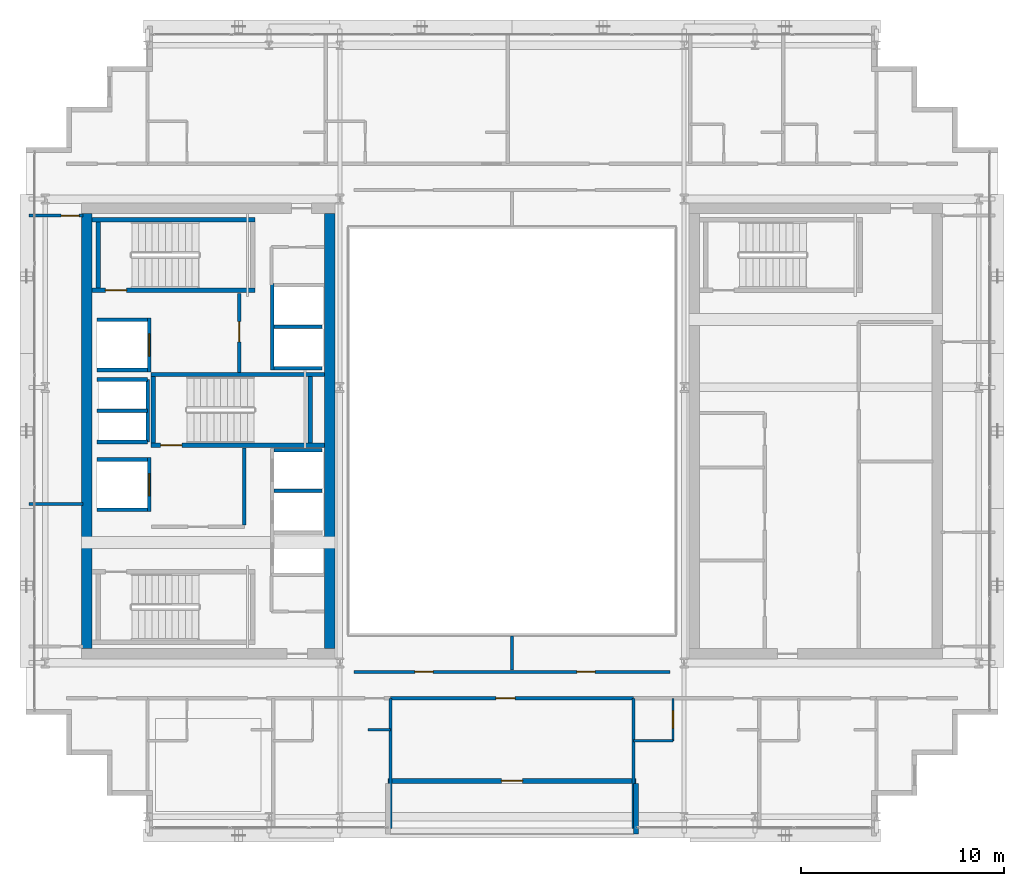
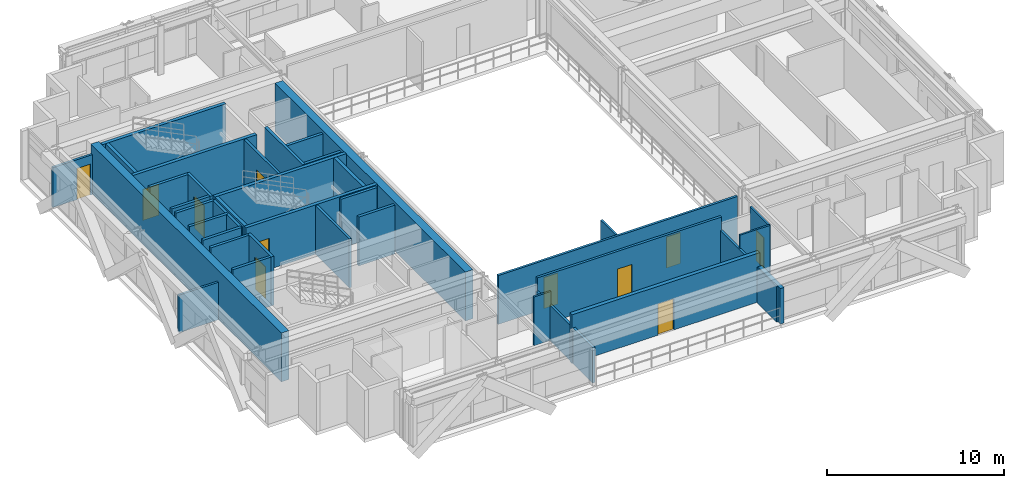
# One storey, part 24 of 31: 38 walls, 11 doors, 11 openings.
"""IFC4 building model written with IfcOpenShell, lengths in metres."""

from ifc_helpers import new_model, si_unit, direction, frame, frame_2d, origin, place, context, subcontext, project, spatial, rectangle, extrude, source, transform, mapped, material, layer, layer_set, type_object, element, fill, save


model = new_model("IFC4")

# Units and contexts
model_context = context("Model", 3, precision=1e-05, world=origin(), true_north=direction((0.0, 1.0)))
body_context = subcontext(model_context, "Body", "Model", "MODEL_VIEW")
ifc_project = project(units=[si_unit("LENGTHUNIT", "METRE"), si_unit("AREAUNIT", "SQUARE_METRE"), si_unit("VOLUMEUNIT", "CUBIC_METRE"), si_unit("PLANEANGLEUNIT", "RADIAN"), si_unit("MASSUNIT", "GRAM", prefix="KILO")], contexts=[model_context])

# Site, building, storey
site_placement = place(None, origin())
site = spatial("IfcSite", under=ifc_project, at=site_placement, CompositionType="ELEMENT")
building_placement = place(site_placement, origin())
building = spatial("IfcBuilding", under=site, at=building_placement, Name="Ocotamira Hotel", CompositionType="ELEMENT")
storey_placement = place(building_placement, frame((0.0, 0.0, 174.0)))
storey = spatial("IfcBuildingStorey", under=building, at=storey_placement, Name="L43", CompositionType="ELEMENT", Elevation=174.0)

# Walls
ifc_material_1 = material(Name="Concrete C50/60", Category="concrete")
ifc_layer_1 = layer(ifc_material_1, 0.5)
ifc_layer_set_1 = layer_set([ifc_layer_1], Name="Concrete C50/60")
wall_type_1 = type_object("IfcWallType", Name="WL-CORE-500", PredefinedType="SHEAR", material=ifc_layer_set_1)
for number, where, z_axis, x_axis, name in (
    (1, (11.0, 15.25, 0.0), (0.0, 0.0, 1.0), (0.0, 1.0, 0.0), "L43 Shear Core Wall WCORE-W"),
    (2, (23.0, 15.25, 0.0), (0.0, 0.0, 1.0), (0.0, 1.0, 0.0), "L43 Shear Core Wall WCORE-E"),
):
    element("IfcWall", number, at=place(storey_placement, frame(where, z_axis=z_axis, x_axis=x_axis)), inside=storey, type_object=wall_type_1, Name=name, PredefinedType="SHEAR", context=body_context, shape_type="SweptSolid", body=[
        extrude(rectangle(XDim=21.5, YDim=0.5, at=frame_2d((10.75, 0.0))), origin(), (0.0, 0.0, 1.0), 3.3701171875),
    ])

# Wall, opening, door
ifc_material_2 = material(Name="Precast concrete C45/55", Category="concrete")
ifc_layer_2 = layer(ifc_material_2, 0.25)
ifc_layer_set_2 = layer_set([ifc_layer_2], Name="Precast concrete C45/55")
wall_type_2 = type_object("IfcWallType", Name="WL-EXT-SER-250", PredefinedType="SOLIDWALL", material=ifc_layer_set_2)
wall_1_placement = place(storey_placement, frame((25.875, 8.72509765625, 0.0), z_axis=(0.0, 0.0, 1.0), x_axis=(1.0, 0.0, 0.0)))
wall_1 = element("IfcWall", 3, at=wall_1_placement, inside=storey, type_object=wall_type_2, Name="L43 Sky Terrace Back Wall 1", PredefinedType="SOLIDWALL", context=body_context, shape_type="SweptSolid", body=[
    extrude(rectangle(XDim=12.25, YDim=0.25, at=frame_2d((6.125, 0.0))), origin(), (0.0, 0.0, 1.0), 3.3701171875),
])
opening_1_placement = place(wall_1_placement, frame((5.60009765625, 0.0, 0.0)))
opening_1 = element("IfcOpeningElement", 4, at=opening_1_placement, cuts=wall_1, Name="Opening ED-3", PredefinedType="OPENING", context=body_context, shape_type="SweptSolid", body=[
    extrude(rectangle(XDim=1.050048828125, YDim=2.14990234375, at=frame_2d((0.52490234375, 1.074951171875))), frame((0.0, 0.135009765625, 0.0), z_axis=(0.0, -1.0, 0.0), x_axis=(1.0, 0.0, 0.0)), (0.0, 0.0, 1.0), 0.27001953125),
])
ifc_material_3 = material(Name="Thermally broken aluminium glazed door", Category="aluminium")
door_type_1 = type_object("IfcDoorType", Name="DR-TERR-1050", OperationType="NOTDEFINED", PredefinedType="DOOR", material=ifc_material_3)
shared_shape_1 = source(origin(), body_context, "Body", "SweptSolid", [
    extrude(rectangle(XDim=1.050048828125, YDim=2.14990234375, at=frame_2d((0.52490234375, 1.074951171875))), frame((0.0, 0.02490234375, 0.0), z_axis=(0.0, -1.0, 0.0), x_axis=(1.0, 0.0, 0.0)), (0.0, 0.0, 1.0), 0.050048828125),
])
door_1_placement = place(opening_1_placement, origin())
door_1 = element("IfcDoor", 5, at=door_1_placement, inside=storey, type_object=door_type_1, Name="L43 Sky Terrace Access Door 1 [ED-BAL-L43-1]", OperationType="SINGLE_SWING_LEFT", OverallHeight=2.14990234375, OverallWidth=1.050048828125, PredefinedType="DOOR", context=body_context, shape_type="MappedRepresentation", body=[
    mapped(shared_shape_1, transform((0.0, 0.0, 0.0), scale=1.0)),
])
fill(opening_1, door_1)

# Walls
wall_2_placement = place(storey_placement, frame((38.125, 6.10009765625, 0.0), z_axis=(0.0, 0.0, 1.0), x_axis=(0.0, 1.0, 0.0)))
element("IfcWall", 6, at=wall_2_placement, inside=storey, type_object=wall_type_2, Name="L43 Sky Terrace Return Wall 1R", PredefinedType="SOLIDWALL", context=body_context, shape_type="SweptSolid", body=[
    extrude(rectangle(XDim=2.5, YDim=0.25, at=frame_2d((1.25, 0.0))), origin(), (0.0, 0.0, 1.0), 2.443115234375),
])
ifc_material_4 = material(Name="Acoustic double-layer fire gypsum board partition", Category="gypsum")
ifc_layer_3 = layer(ifc_material_4, 0.159912109375)
ifc_layer_set_3 = layer_set([ifc_layer_3], Name="Acoustic double-layer fire gypsum board partition")
wall_type_3 = type_object("IfcWallType", Name="WL-FIRE-160", PredefinedType="PARTITIONING", material=ifc_layer_set_3)
wall_3_placement = place(storey_placement, frame((18.780029296875, 21.35009765625, 0.0), z_axis=(0.0, 0.0, 1.0), x_axis=(0.0, 1.0, 0.0)))
element("IfcWall", 7, at=wall_3_placement, inside=storey, type_object=wall_type_3, Name="L43 Interior Wall PW-L43-FSAE1-E", PredefinedType="PARTITIONING", context=body_context, shape_type="SweptSolid", body=[
    extrude(rectangle(XDim=3.809814453125, YDim=0.159912109375, at=frame_2d((1.90478515625, 0.0))), origin(), (0.0, 0.0, 1.0), 3.3701171875),
])

# Wall, opening, door
wall_4_placement = place(storey_placement, frame((18.530029296875, 28.89990234375, 0.0), z_axis=(0.0, 0.0, 1.0), x_axis=(0.0, 1.0, 0.0)))
wall_4 = element("IfcWall", 8, at=wall_4_placement, inside=storey, type_object=wall_type_3, Name="L43 Interior Wall PW-L43-FSAE2-E", PredefinedType="PARTITIONING", context=body_context, shape_type="SweptSolid", body=[
    extrude(rectangle(XDim=3.900146484375, YDim=0.159912109375, at=frame_2d((1.9501953125, 0.0))), origin(), (0.0, 0.0, 1.0), 3.3701171875),
])
opening_2_placement = place(wall_4_placement, frame((1.5, 0.0, 0.0)))
opening_2 = element("IfcOpeningElement", 9, at=opening_2_placement, cuts=wall_4, Name="Opening D-FR2", PredefinedType="OPENING", context=body_context, shape_type="SweptSolid", body=[
    extrude(rectangle(XDim=1.0, YDim=2.14990234375, at=frame_2d((0.5, 1.074951171875))), frame((0.0, 0.08984375, 0.0), z_axis=(0.0, -1.0, 0.0), x_axis=(1.0, 0.0, 0.0)), (0.0, 0.0, 1.0), 0.179931640625),
])
ifc_material_5 = material(Name="Fire-rated acoustic timber-veneer door", Category="wood")
door_type_2 = type_object("IfcDoorType", Name="DR-FIRE-1000", OperationType="NOTDEFINED", PredefinedType="DOOR", material=ifc_material_5)
shared_shape_2 = source(origin(), body_context, "Body", "SweptSolid", [
    extrude(rectangle(XDim=1.0, YDim=2.14990234375, at=frame_2d((0.5, 1.074951171875))), frame((0.0, 0.02490234375, 0.0), z_axis=(0.0, -1.0, 0.0), x_axis=(1.0, 0.0, 0.0)), (0.0, 0.0, 1.0), 0.050048828125),
])
door_2_placement = place(opening_2_placement, origin())
door_2 = element("IfcDoor", 10, at=door_2_placement, inside=storey, type_object=door_type_2, Name="L43 Door ID-L43-FSAE2-D [ID-L43-FSAE2-D]", OperationType="SINGLE_SWING_RIGHT", OverallHeight=2.14990234375, OverallWidth=1.0, PredefinedType="DOOR", context=body_context, shape_type="MappedRepresentation", body=[
    mapped(shared_shape_2, transform((0.0, 0.0, 0.0), scale=1.0)),
])
fill(opening_2, door_2)

wall_5_placement = place(storey_placement, frame((26.0, 12.800048828125, 0.0), z_axis=(0.0, 0.0, 1.0), x_axis=(1.0, 0.0, 0.0)))
wall_5 = element("IfcWall", 11, at=wall_5_placement, inside=storey, type_object=wall_type_3, Name="L43 Interior Wall PW-L43-Z3B-TSALN", PredefinedType="PARTITIONING", context=body_context, shape_type="SweptSolid", body=[
    extrude(rectangle(XDim=12.0, YDim=0.159912109375, at=frame_2d((6.0, 0.0))), origin(), (0.0, 0.0, 1.0), 3.3701171875),
])
opening_3_placement = place(wall_5_placement, frame((5.199951171875, 0.0, 0.0)))
opening_3 = element("IfcOpeningElement", 12, at=opening_3_placement, cuts=wall_5, Name="Opening D-SV4", PredefinedType="OPENING", context=body_context, shape_type="SweptSolid", body=[
    extrude(rectangle(XDim=0.9599609375, YDim=2.14990234375, at=frame_2d((0.47998046875, 1.074951171875))), frame((0.0, 0.08984375, 0.0), z_axis=(0.0, -1.0, 0.0), x_axis=(1.0, 0.0, 0.0)), (0.0, 0.0, 1.0), 0.179931640625),
])
ifc_material_6 = material(Name="Fire-rated accessible walnut salon door", Category="wood")
door_type_3 = type_object("IfcDoorType", Name="DR-SERV-960", OperationType="NOTDEFINED", PredefinedType="DOOR", material=ifc_material_6)
shared_shape_3 = source(origin(), body_context, "Body", "SweptSolid", [
    extrude(rectangle(XDim=0.9599609375, YDim=2.14990234375, at=frame_2d((0.47998046875, 1.074951171875))), frame((0.0, 0.02490234375, 0.0), z_axis=(0.0, -1.0, 0.0), x_axis=(1.0, 0.0, 0.0)), (0.0, 0.0, 1.0), 0.050048828125),
])
door_3_placement = place(opening_3_placement, origin())
door_3 = element("IfcDoor", 13, at=door_3_placement, inside=storey, type_object=door_type_3, Name="L43 Door ID-L43-Z3B-TSALD [ID-L43-Z3B-TSALD]", OperationType="SINGLE_SWING_LEFT", OverallHeight=2.14990234375, OverallWidth=0.9599609375, PredefinedType="DOOR", context=body_context, shape_type="MappedRepresentation", body=[
    mapped(shared_shape_3, transform((0.0, 0.0, 0.0), scale=1.0)),
])
fill(opening_3, door_3)

# Wall
ifc_material_7 = material(Name="Moisture-resistant en-suite tile and gypsum partition", Category="gypsum")
ifc_layer_4 = layer(ifc_material_7, 0.1201171875)
ifc_layer_set_4 = layer_set([ifc_layer_4], Name="Moisture-resistant en-suite tile and gypsum partition")
wall_type_4 = type_object("IfcWallType", Name="WL-PART-120", PredefinedType="PARTITIONING", material=ifc_layer_set_4)
wall_6_placement = place(storey_placement, frame((24.89990234375, 11.25, 0.0), z_axis=(0.0, 0.0, 1.0), x_axis=(1.0, 0.0, 0.0)))
element("IfcWall", 14, at=wall_6_placement, inside=storey, type_object=wall_type_4, Name="L43 Interior Wall PW-L43-Z3BSW-DRN2", PredefinedType="PARTITIONING", context=body_context, shape_type="SweptSolid", body=[
    extrude(rectangle(XDim=1.10009765625, YDim=0.1201171875, at=frame_2d((0.550048828125, 0.0))), origin(), (0.0, 0.0, 1.0), 3.3701171875),
])

# Wall, opening, door
wall_7_placement = place(storey_placement, frame((39.949951171875, 10.699951171875, 0.0), z_axis=(0.0, 0.0, 1.0), x_axis=(0.0, 1.0, 0.0)))
wall_7 = element("IfcWall", 15, at=wall_7_placement, inside=storey, type_object=wall_type_4, Name="L43 Interior Wall PW-L43-Z3BSE-BAE1", PredefinedType="PARTITIONING", context=body_context, shape_type="SweptSolid", body=[
    extrude(rectangle(XDim=2.10009765625, YDim=0.1201171875, at=frame_2d((1.050048828125, 0.0))), origin(), (0.0, 0.0, 1.0), 3.3701171875),
])
opening_4_placement = place(wall_7_placement, frame((0.6201171875, 0.0, 0.0)))
opening_4 = element("IfcOpeningElement", 16, at=opening_4_placement, cuts=wall_7, Name="Opening D-BA1", PredefinedType="OPENING", context=body_context, shape_type="SweptSolid", body=[
    extrude(rectangle(XDim=0.860107421875, YDim=2.10009765625, at=frame_2d((0.43017578125, 1.050048828125))), frame((0.0, 0.070068359375, 0.0), z_axis=(0.0, -1.0, 0.0), x_axis=(1.0, 0.0, 0.0)), (0.0, 0.0, 1.0), 0.14013671875),
])
ifc_material_8 = material(Name="Moisture-sealed en-suite timber door", Category="wood")
door_type_4 = type_object("IfcDoorType", Name="DR-BATH-860", OperationType="NOTDEFINED", PredefinedType="DOOR", material=ifc_material_8)
shared_shape_4 = source(origin(), body_context, "Body", "SweptSolid", [
    extrude(rectangle(XDim=0.860107421875, YDim=2.10009765625, at=frame_2d((0.43017578125, 1.050048828125))), frame((0.0, 0.02490234375, 0.0), z_axis=(0.0, -1.0, 0.0), x_axis=(1.0, 0.0, 0.0)), (0.0, 0.0, 1.0), 0.050048828125),
])
door_4_placement = place(opening_4_placement, origin())
door_4 = element("IfcDoor", 17, at=door_4_placement, inside=storey, type_object=door_type_4, Name="L43 Door ID-L43-Z3BSE-BAD1 [ID-L43-Z3BSE-BAD1]", OperationType="SINGLE_SWING_RIGHT", OverallHeight=2.10009765625, OverallWidth=0.860107421875, PredefinedType="DOOR", context=body_context, shape_type="MappedRepresentation", body=[
    mapped(shared_shape_4, transform((0.0, 0.0, 0.0), scale=1.0)),
])
fill(opening_4, door_4)

# Walls
wall_8_placement = place(storey_placement, frame((38.0, 10.699951171875, 0.0), z_axis=(0.0, 0.0, 1.0), x_axis=(1.0, 0.0, 0.0)))
element("IfcWall", 18, at=wall_8_placement, inside=storey, type_object=wall_type_4, Name="L43 Interior Wall PW-L43-Z3BSE-BAS1", PredefinedType="PARTITIONING", context=body_context, shape_type="SweptSolid", body=[
    extrude(rectangle(XDim=1.949951171875, YDim=0.1201171875, at=frame_2d((0.97509765625, 0.0))), origin(), (0.0, 0.0, 1.0), 3.3701171875),
])
ifc_material_9 = material(Name="Acoustic hospitality gypsum board partition", Category="gypsum")
ifc_layer_5 = layer(ifc_material_9, 0.14208984375)
ifc_layer_set_5 = layer_set([ifc_layer_5], Name="Acoustic hospitality gypsum board partition")
wall_type_5 = type_object("IfcWallType", Name="WL-PART-142", PredefinedType="PARTITIONING", material=ifc_layer_set_5)
wall_9_placement = place(storey_placement, frame((32.0, 14.199951171875, 0.0), z_axis=(0.0, 0.0, 1.0), x_axis=(0.0, 1.0, 0.0)))
element("IfcWall", 19, at=wall_9_placement, inside=storey, type_object=wall_type_5, Name="L43 Interior Wall PW-L43-Z3B-ASD1", PredefinedType="PARTITIONING", context=body_context, shape_type="SweptSolid", body=[
    extrude(rectangle(XDim=1.679931640625, YDim=0.14208984375, at=frame_2d((0.83984375, 0.0))), origin(), (0.0, 0.0, 1.0), 3.3701171875),
])
wall_10_placement = place(storey_placement, frame((8.159912109375, 22.39990234375, 0.0), z_axis=(0.0, 0.0, 1.0), x_axis=(1.0, 0.0, 0.0)))
element("IfcWall", 20, at=wall_10_placement, inside=storey, type_object=wall_type_5, Name="L43 Interior Wall PW-L43-Z3B-WF-DV1", PredefinedType="PARTITIONING", context=body_context, shape_type="SweptSolid", body=[
    extrude(rectangle(XDim=2.66015625, YDim=0.14208984375, at=frame_2d((1.330078125, 0.0))), origin(), (0.0, 0.0, 1.0), 2.591064453125),
])

# Wall, openings, doors
ifc_layer_6 = layer(ifc_material_9, 0.14990234375)
ifc_layer_set_6 = layer_set([ifc_layer_6], Name="Acoustic hospitality gypsum board partition")
wall_type_6 = type_object("IfcWallType", Name="WL-PART-150", PredefinedType="PARTITIONING", material=ifc_layer_set_6)
wall_11_placement = place(storey_placement, frame((24.199951171875, 14.10009765625, 0.0), z_axis=(0.0, 0.0, 1.0), x_axis=(1.0, 0.0, 0.0)))
wall_11 = element("IfcWall", 21, at=wall_11_placement, inside=storey, type_object=wall_type_6, Name="L43 Interior Wall PW-L43-Z3B-ATRSW", PredefinedType="PARTITIONING", context=body_context, shape_type="SweptSolid", body=[
    extrude(rectangle(XDim=15.60009765625, YDim=0.14990234375, at=frame_2d((7.800048828125, 0.0))), origin(), (0.0, 0.0, 1.0), 3.3701171875),
])
opening_5_placement = place(wall_11_placement, frame((3.0, 0.0, 0.0)))
opening_5 = element("IfcOpeningElement", 22, at=opening_5_placement, cuts=wall_11, Name="Opening D-IN3", PredefinedType="OPENING", context=body_context, shape_type="SweptSolid", body=[
    extrude(rectangle(XDim=0.89990234375, YDim=2.14990234375, at=frame_2d((0.449951171875, 1.074951171875))), frame((0.0, 0.0849609375, 0.0), z_axis=(0.0, -1.0, 0.0), x_axis=(1.0, 0.0, 0.0)), (0.0, 0.0, 1.0), 0.169921875),
])
opening_6_placement = place(wall_11_placement, frame((11.0, 0.0, 0.0)))
opening_6 = element("IfcOpeningElement", 23, at=opening_6_placement, cuts=wall_11, Name="Opening D-IN3", PredefinedType="OPENING", context=body_context, shape_type="SweptSolid", body=[
    extrude(rectangle(XDim=0.89990234375, YDim=2.14990234375, at=frame_2d((0.449951171875, 1.074951171875))), frame((0.0, 0.0849609375, 0.0), z_axis=(0.0, -1.0, 0.0), x_axis=(1.0, 0.0, 0.0)), (0.0, 0.0, 1.0), 0.169921875),
])
ifc_material_10 = material(Name="Painted service room door", Category="steel")
door_type_5 = type_object("IfcDoorType", Name="DR-INT-900", OperationType="NOTDEFINED", PredefinedType="DOOR", material=ifc_material_10)
shared_shape_5 = source(origin(), body_context, "Body", "SweptSolid", [
    extrude(rectangle(XDim=0.89990234375, YDim=2.14990234375, at=frame_2d((0.449951171875, 1.074951171875))), frame((0.0, 0.02490234375, 0.0), z_axis=(0.0, -1.0, 0.0), x_axis=(1.0, 0.0, 0.0)), (0.0, 0.0, 1.0), 0.050048828125),
])
door_5_placement = place(opening_5_placement, origin())
door_5 = element("IfcDoor", 24, at=door_5_placement, inside=storey, type_object=door_type_5, Name="L43 Door ID-L43-Z3B-ASD1D [ID-L43-Z3B-ASD1D]", OperationType="SINGLE_SWING_LEFT", OverallHeight=2.14990234375, OverallWidth=0.89990234375, PredefinedType="DOOR", context=body_context, shape_type="MappedRepresentation", body=[
    mapped(shared_shape_5, transform((0.0, 0.0, 0.0), scale=1.0)),
])
fill(opening_5, door_5)
door_6_placement = place(opening_6_placement, origin())
door_6 = element("IfcDoor", 25, at=door_6_placement, inside=storey, type_object=door_type_5, Name="L43 Door ID-L43-Z3B-ASD2D [ID-L43-Z3B-ASD2D]", OperationType="SINGLE_SWING_RIGHT", OverallHeight=2.14990234375, OverallWidth=0.89990234375, PredefinedType="DOOR", context=body_context, shape_type="MappedRepresentation", body=[
    mapped(shared_shape_5, transform((0.0, 0.0, 0.0), scale=1.0)),
])
fill(opening_6, door_6)

# Wall, opening, door
wall_12_placement = place(storey_placement, frame((8.159912109375, 36.639892578125, 0.0), z_axis=(0.0, 0.0, 1.0), x_axis=(1.0, 0.0, 0.0)))
wall_12 = element("IfcWall", 26, at=wall_12_placement, inside=storey, type_object=wall_type_6, Name="L43 Interior Wall PW-L43-Z3B-WF-WN", PredefinedType="PARTITIONING", context=body_context, shape_type="SweptSolid", body=[
    extrude(rectangle(XDim=2.66015625, YDim=0.14990234375, at=frame_2d((1.330078125, 0.0))), origin(), (0.0, 0.0, 1.0), 2.7529296875),
])
opening_7_placement = place(wall_12_placement, frame((1.580078125, 0.0, 0.0)))
opening_7 = element("IfcOpeningElement", 27, at=opening_7_placement, cuts=wall_12, Name="Opening D-SV2", PredefinedType="OPENING", context=body_context, shape_type="SweptSolid", body=[
    extrude(rectangle(XDim=0.8798828125, YDim=2.14990234375, at=frame_2d((0.43994140625, 1.074951171875))), frame((0.0, 0.0849609375, 0.0), z_axis=(0.0, -1.0, 0.0), x_axis=(1.0, 0.0, 0.0)), (0.0, 0.0, 1.0), 0.169921875),
])
ifc_material_11 = material(Name="Fire-rated painted steel service door", Category="steel")
door_type_6 = type_object("IfcDoorType", Name="DR-SERV-880", OperationType="NOTDEFINED", PredefinedType="DOOR", material=ifc_material_11)
shared_shape_6 = source(origin(), body_context, "Body", "SweptSolid", [
    extrude(rectangle(XDim=0.8798828125, YDim=2.14990234375, at=frame_2d((0.43994140625, 1.074951171875))), frame((0.0, 0.02490234375, 0.0), z_axis=(0.0, -1.0, 0.0), x_axis=(1.0, 0.0, 0.0)), (0.0, 0.0, 1.0), 0.050048828125),
])
door_7_placement = place(opening_7_placement, origin())
door_7 = element("IfcDoor", 28, at=door_7_placement, inside=storey, type_object=door_type_6, Name="L43 Door ID-L43-Z3B-WF-DN [ID-L43-Z3B-WF-DN]", OperationType="SINGLE_SWING_RIGHT", OverallHeight=2.14990234375, OverallWidth=0.8798828125, PredefinedType="DOOR", context=body_context, shape_type="MappedRepresentation", body=[
    mapped(shared_shape_6, transform((0.0, 0.0, 0.0), scale=1.0)),
])
fill(opening_7, door_7)

# Walls
ifc_material_12 = material(Name="Acoustic double-stud hospitality gypsum partition", Category="gypsum")
ifc_layer_7 = layer(ifc_material_12, 0.159912109375)
ifc_layer_set_7 = layer_set([ifc_layer_7], Name="Acoustic double-stud hospitality gypsum partition")
wall_type_7 = type_object("IfcWallType", Name="WL-PART-160", PredefinedType="PARTITIONING", material=ifc_layer_set_7)
for number, where, z_axis, x_axis, name in (
    (29, (26.0, 6.360107421875, 0.0), (0.0, 0.0, 1.0), (0.0, 1.0, 0.0), "L43 Interior Wall PW-L43-Z3BSW-PWEND"),
    (30, (38.0, 6.360107421875, 0.0), (0.0, 0.0, 1.0), (0.0, 1.0, 0.0), "L43 Interior Wall PW-L43-Z3BSE-PW0"),
):
    element("IfcWall", number, at=place(storey_placement, frame(where, z_axis=z_axis, x_axis=x_axis)), inside=storey, type_object=wall_type_7, Name=name, PredefinedType="PARTITIONING", context=body_context, shape_type="SweptSolid", body=[
        extrude(rectangle(XDim=6.43994140625, YDim=0.159912109375, at=frame_2d((3.219970703125, 0.0))), origin(), (0.0, 0.0, 1.0), 2.443115234375),
    ])
ifc_material_13 = material(Name="Fire-rated gypsum shaftliner board assembly", Category="gypsum")
ifc_layer_8 = layer(ifc_material_13, 0.179931640625)
ifc_layer_set_8 = layer_set([ifc_layer_8], Name="Fire-rated gypsum shaftliner board assembly")
wall_type_8 = type_object("IfcWallType", Name="WL-SHAFT-180", PredefinedType="SOLIDWALL", material=ifc_layer_set_8)
for number, where, z_axis, x_axis, name in (
    (31, (20.25, 25.050048828125, 0.0), (0.0, 0.0, 1.0), (1.0, 0.0, 0.0), "L43 Interior Wall PW-L43-LFW-BANK-high-N"),
    (32, (20.25, 23.044921875, 0.0), (0.0, 0.0, 1.0), (1.0, 0.0, 0.0), "L43 Interior Wall PW-L43-LFW-DIV-LF-P8"),
):
    element("IfcWall", number, at=place(storey_placement, frame(where, z_axis=z_axis, x_axis=x_axis)), inside=storey, type_object=wall_type_8, Name=name, PredefinedType="SOLIDWALL", context=body_context, shape_type="SweptSolid", body=[
        extrude(rectangle(XDim=2.360107421875, YDim=0.179931640625, at=frame_2d((1.18017578125, 0.0))), origin(), (0.0, 0.0, 1.0), 3.3701171875),
    ])
wall_13_placement = place(storey_placement, frame((20.159912109375, 29.0, 0.0), z_axis=(0.0, 0.0, 1.0), x_axis=(0.0, 1.0, 0.0)))
element("IfcWall", 33, at=wall_13_placement, inside=storey, type_object=wall_type_8, Name="L43 Interior Wall PW-L43-LFW-BANK-obs-F", PredefinedType="SOLIDWALL", context=body_context, shape_type="SweptSolid", body=[
    extrude(rectangle(XDim=4.2900390625, YDim=0.179931640625, at=frame_2d((2.14501953125, 0.0))), origin(), (0.0, 0.0, 1.0), 3.3701171875),
])
for number, where, z_axis, x_axis, name in (
    (34, (20.25, 29.090087890625, 0.0), (0.0, 0.0, 1.0), (1.0, 0.0, 0.0), "L43 Interior Wall PW-L43-LFW-BANK-obs-S"),
    (35, (20.25, 31.14501953125, 0.0), (0.0, 0.0, 1.0), (1.0, 0.0, 0.0), "L43 Interior Wall PW-L43-LFW-DIV-LF-OBS1"),
):
    element("IfcWall", number, at=place(storey_placement, frame(where, z_axis=z_axis, x_axis=x_axis)), inside=storey, type_object=wall_type_8, Name=name, PredefinedType="SOLIDWALL", context=body_context, shape_type="SweptSolid", body=[
        extrude(rectangle(XDim=2.360107421875, YDim=0.179931640625, at=frame_2d((1.18017578125, 0.0))), origin(), (0.0, 0.0, 1.0), 3.3701171875),
    ])
for number, where, z_axis, x_axis, name in (
    (36, (11.5, 22.110107421875, 0.0), (0.0, 0.0, 1.0), (1.0, 0.0, 0.0), "L43 Interior Wall PW-L43-LFW-LF-FSAE1-S"),
    (37, (11.5, 24.590087890625, 0.0), (0.0, 0.0, 1.0), (1.0, 0.0, 0.0), "L43 Interior Wall PW-L43-LFW-LF-FSAE1-N"),
):
    element("IfcWall", number, at=place(storey_placement, frame(where, z_axis=z_axis, x_axis=x_axis)), inside=storey, type_object=wall_type_8, Name=name, PredefinedType="SOLIDWALL", context=body_context, shape_type="SweptSolid", body=[
        extrude(rectangle(XDim=2.5, YDim=0.179931640625, at=frame_2d((1.25, 0.0))), origin(), (0.0, 0.0, 1.0), 3.3701171875),
    ])

# Wall, opening, door
wall_14_placement = place(storey_placement, frame((14.090087890625, 22.02001953125, 0.0), z_axis=(0.0, 0.0, 1.0), x_axis=(0.0, 1.0, 0.0)))
wall_14 = element("IfcWall", 38, at=wall_14_placement, inside=storey, type_object=wall_type_8, Name="L43 Interior Wall PW-L43-LFW-LF-FSAE1-E", PredefinedType="SOLIDWALL", context=body_context, shape_type="SweptSolid", body=[
    extrude(rectangle(XDim=2.659912109375, YDim=0.179931640625, at=frame_2d((1.330078125, 0.0))), origin(), (0.0, 0.0, 1.0), 3.3701171875),
])
opening_8_placement = place(wall_14_placement, frame((0.780029296875, 0.0, 0.0)))
opening_8 = element("IfcOpeningElement", 39, at=opening_8_placement, cuts=wall_14, Name="Opening LD-LF-FSAE1", PredefinedType="OPENING", context=body_context, shape_type="SweptSolid", body=[
    extrude(rectangle(XDim=1.10009765625, YDim=2.199951171875, at=frame_2d((0.550048828125, 1.10009765625))), frame((0.0, 0.10009765625, 0.0), z_axis=(0.0, -1.0, 0.0), x_axis=(1.0, 0.0, 0.0)), (0.0, 0.0, 1.0), 0.199951171875),
])
ifc_material_14 = material(Name="Brushed pale-metal stainless elevator landing door", Category="steel")
door_type_7 = type_object("IfcDoorType", Name="DR-LIFT-1100", OperationType="NOTDEFINED", PredefinedType="DOOR", material=ifc_material_14)
shared_shape_7 = source(origin(), body_context, "Body", "SweptSolid", [
    extrude(rectangle(XDim=1.10009765625, YDim=2.199951171875, at=frame_2d((0.550048828125, 1.10009765625))), frame((0.0, 0.02490234375, 0.0), z_axis=(0.0, -1.0, 0.0), x_axis=(1.0, 0.0, 0.0)), (0.0, 0.0, 1.0), 0.050048828125),
])
door_8_placement = place(opening_8_placement, origin())
door_8 = element("IfcDoor", 40, at=door_8_placement, inside=storey, type_object=door_type_7, Name="L43 Landing Door LD-LF-FSAE1 [ID-L43-LD-LF-FSAE1]", OperationType="DOUBLE_DOOR_SLIDING", OverallHeight=2.199951171875, OverallWidth=1.10009765625, PredefinedType="DOOR", context=body_context, shape_type="MappedRepresentation", body=[
    mapped(shared_shape_7, transform((0.0, 0.0, 0.0), scale=1.0)),
])
fill(opening_8, door_8)

# Walls
for number, where, z_axis, x_axis, name in (
    (41, (11.5, 29.010009765625, 0.0), (0.0, 0.0, 1.0), (1.0, 0.0, 0.0), "L43 Interior Wall PW-L43-LFW-LF-FSAE2-S"),
    (42, (11.5, 31.489990234375, 0.0), (0.0, 0.0, 1.0), (1.0, 0.0, 0.0), "L43 Interior Wall PW-L43-LFW-LF-FSAE2-N"),
):
    element("IfcWall", number, at=place(storey_placement, frame(where, z_axis=z_axis, x_axis=x_axis)), inside=storey, type_object=wall_type_8, Name=name, PredefinedType="SOLIDWALL", context=body_context, shape_type="SweptSolid", body=[
        extrude(rectangle(XDim=2.5, YDim=0.179931640625, at=frame_2d((1.25, 0.0))), origin(), (0.0, 0.0, 1.0), 3.3701171875),
    ])

# Wall, opening, door
wall_15_placement = place(storey_placement, frame((14.090087890625, 28.919921875, 0.0), z_axis=(0.0, 0.0, 1.0), x_axis=(0.0, 1.0, 0.0)))
wall_15 = element("IfcWall", 43, at=wall_15_placement, inside=storey, type_object=wall_type_8, Name="L43 Interior Wall PW-L43-LFW-LF-FSAE2-E", PredefinedType="SOLIDWALL", context=body_context, shape_type="SweptSolid", body=[
    extrude(rectangle(XDim=2.66015625, YDim=0.179931640625, at=frame_2d((1.330078125, 0.0))), origin(), (0.0, 0.0, 1.0), 3.3701171875),
])
opening_9_placement = place(wall_15_placement, frame((0.780029296875, 0.0, 0.0)))
opening_9 = element("IfcOpeningElement", 44, at=opening_9_placement, cuts=wall_15, Name="Opening LD-LF-FSAE2", PredefinedType="OPENING", context=body_context, shape_type="SweptSolid", body=[
    extrude(rectangle(XDim=1.10009765625, YDim=2.199951171875, at=frame_2d((0.550048828125, 1.10009765625))), frame((0.0, 0.10009765625, 0.0), z_axis=(0.0, -1.0, 0.0), x_axis=(1.0, 0.0, 0.0)), (0.0, 0.0, 1.0), 0.199951171875),
])
door_9_placement = place(opening_9_placement, origin())
door_9 = element("IfcDoor", 45, at=door_9_placement, inside=storey, type_object=door_type_7, Name="L43 Landing Door LD-LF-FSAE2 [ID-L43-LD-LF-FSAE2]", OperationType="DOUBLE_DOOR_SLIDING", OverallHeight=2.199951171875, OverallWidth=1.10009765625, PredefinedType="DOOR", context=body_context, shape_type="MappedRepresentation", body=[
    mapped(shared_shape_7, transform((0.0, 0.0, 0.0), scale=1.0)),
])
fill(opening_9, door_9)

# Walls
for number, where, z_axis, x_axis, name in (
    (46, (11.5, 25.4599609375, 0.0), (0.0, 0.0, 1.0), (1.0, 0.0, 0.0), "L43 Interior Wall PW-L43-RSW-S"),
    (47, (11.5, 27.0, 0.0), (0.0, 0.0, 1.0), (1.0, 0.0, 0.0), "L43 Interior Wall PW-L43-RSW-MID"),
    (48, (11.5, 28.5400390625, 0.0), (0.0, 0.0, 1.0), (1.0, 0.0, 0.0), "L43 Interior Wall PW-L43-RSW-N"),
):
    element("IfcWall", number, at=place(storey_placement, frame(where, z_axis=z_axis, x_axis=x_axis)), inside=storey, type_object=wall_type_8, Name=name, PredefinedType="SOLIDWALL", context=body_context, shape_type="SweptSolid", body=[
        extrude(rectangle(XDim=2.510009765625, YDim=0.179931640625, at=frame_2d((1.2548828125, 0.0))), origin(), (0.0, 0.0, 1.0), 3.3701171875),
    ])
wall_16_placement = place(storey_placement, frame((14.010009765625, 25.4599609375, 0.0), z_axis=(0.0, 0.0, 1.0), x_axis=(0.0, 1.0, 0.0)))
element("IfcWall", 49, at=wall_16_placement, inside=storey, type_object=wall_type_8, Name="L43 Interior Wall PW-L43-RSW-E", PredefinedType="SOLIDWALL", context=body_context, shape_type="SweptSolid", body=[
    extrude(rectangle(XDim=3.080078125, YDim=0.179931640625, at=frame_2d((1.5400390625, 0.0))), origin(), (0.0, 0.0, 1.0), 3.3701171875),
])

# Wall, opening, door
ifc_layer_9 = layer(ifc_material_1, 0.219970703125)
ifc_layer_set_9 = layer_set([ifc_layer_9], Name="Concrete C50/60")
wall_type_9 = type_object("IfcWallType", Name="WL-STAIR-220", PredefinedType="SHEAR", material=ifc_layer_set_9)
wall_17_placement = place(storey_placement, frame((11.25, 32.93994140625, 0.0), z_axis=(0.0, 0.0, 1.0), x_axis=(1.0, 0.0, 0.0)))
wall_17 = element("IfcWall", 50, at=wall_17_placement, inside=storey, type_object=wall_type_9, Name="L43 Stair Shaft Structural Wall ST-2-S", PredefinedType="SHEAR", context=body_context, shape_type="SweptSolid", body=[
    extrude(rectangle(XDim=8.06005859375, YDim=0.219970703125, at=frame_2d((4.030029296875, 0.0))), origin(), (0.0, 0.0, 1.0), 3.39990234375),
])
opening_10_placement = place(wall_17_placement, frame((0.669921875, 0.0, 0.0)))
opening_10 = element("IfcOpeningElement", 51, at=opening_10_placement, cuts=wall_17, Name="Opening D-ST2", PredefinedType="OPENING", context=body_context, shape_type="SweptSolid", body=[
    extrude(rectangle(XDim=1.050048828125, YDim=2.14990234375, at=frame_2d((0.52490234375, 1.074951171875))), frame((0.0, 0.1201171875, 0.0), z_axis=(0.0, -1.0, 0.0), x_axis=(1.0, 0.0, 0.0)), (0.0, 0.0, 1.0), 0.239990234375),
])
ifc_material_15 = material(Name="Insulated painted hollow-metal fire exit door", Category="steel")
door_type_8 = type_object("IfcDoorType", Name="DR-STAIR-1050", OperationType="NOTDEFINED", PredefinedType="DOOR", material=ifc_material_15)
door_10_placement = place(opening_10_placement, origin())
door_10 = element("IfcDoor", 52, at=door_10_placement, inside=storey, type_object=door_type_8, Name="L43 Door ID-L43-STD-ST-2 [ID-L43-STD-ST-2]", OperationType="SINGLE_SWING_LEFT", OverallHeight=2.14990234375, OverallWidth=1.050048828125, PredefinedType="DOOR", context=body_context, shape_type="MappedRepresentation", body=[
    mapped(shared_shape_1, transform((0.0, 0.0, 0.0), scale=1.0)),
])
fill(opening_10, door_10)

# Walls
wall_18_placement = place(storey_placement, frame((11.25, 36.43994140625, 0.0), z_axis=(0.0, 0.0, 1.0), x_axis=(1.0, 0.0, 0.0)))
element("IfcWall", 53, at=wall_18_placement, inside=storey, type_object=wall_type_9, Name="L43 Stair Shaft Structural Wall ST-2-N", PredefinedType="SHEAR", context=body_context, shape_type="SweptSolid", body=[
    extrude(rectangle(XDim=8.06005859375, YDim=0.219970703125, at=frame_2d((4.030029296875, 0.0))), origin(), (0.0, 0.0, 1.0), 3.39990234375),
])
wall_19_placement = place(storey_placement, frame((11.56005859375, 33.050048828125, 0.0), z_axis=(0.0, 0.0, 1.0), x_axis=(0.0, 1.0, 0.0)))
element("IfcWall", 54, at=wall_19_placement, inside=storey, type_object=wall_type_9, Name="L43 Stair Shaft Structural Wall ST-2-W", PredefinedType="SHEAR", context=body_context, shape_type="SweptSolid", body=[
    extrude(rectangle(XDim=3.280029296875, YDim=0.219970703125, at=frame_2d((1.64013671875, 0.0))), origin(), (0.0, 0.0, 1.0), 3.39990234375),
])

# Wall, opening, door
wall_20_placement = place(storey_placement, frame((14.179931640625, 25.2900390625, 0.0), z_axis=(0.0, 0.0, 1.0), x_axis=(1.0, 0.0, 0.0)))
wall_20 = element("IfcWall", 55, at=wall_20_placement, inside=storey, type_object=wall_type_9, Name="L43 Stair Shaft Structural Wall ST-3-S", PredefinedType="SHEAR", context=body_context, shape_type="SweptSolid", body=[
    extrude(rectangle(XDim=8.570068359375, YDim=0.219970703125, at=frame_2d((4.28515625, 0.0))), origin(), (0.0, 0.0, 1.0), 3.39990234375),
])
opening_11_placement = place(wall_20_placement, frame((0.469970703125, 0.0, 0.0)))
opening_11 = element("IfcOpeningElement", 56, at=opening_11_placement, cuts=wall_20, Name="Opening D-ST2", PredefinedType="OPENING", context=body_context, shape_type="SweptSolid", body=[
    extrude(rectangle(XDim=1.050048828125, YDim=2.14990234375, at=frame_2d((0.52490234375, 1.074951171875))), frame((0.0, 0.1201171875, 0.0), z_axis=(0.0, -1.0, 0.0), x_axis=(1.0, 0.0, 0.0)), (0.0, 0.0, 1.0), 0.239990234375),
])
door_11_placement = place(opening_11_placement, origin())
door_11 = element("IfcDoor", 57, at=door_11_placement, inside=storey, type_object=door_type_8, Name="L43 Door ID-L43-STD-ST-3 [ID-L43-STD-ST-3]", OperationType="SINGLE_SWING_RIGHT", OverallHeight=2.14990234375, OverallWidth=1.050048828125, PredefinedType="DOOR", context=body_context, shape_type="MappedRepresentation", body=[
    mapped(shared_shape_1, transform((0.0, 0.0, 0.0), scale=1.0)),
])
fill(opening_11, door_11)

# Walls
wall_21_placement = place(storey_placement, frame((14.179931640625, 28.7900390625, 0.0), z_axis=(0.0, 0.0, 1.0), x_axis=(1.0, 0.0, 0.0)))
element("IfcWall", 58, at=wall_21_placement, inside=storey, type_object=wall_type_9, Name="L43 Stair Shaft Structural Wall ST-3-N", PredefinedType="SHEAR", context=body_context, shape_type="SweptSolid", body=[
    extrude(rectangle(XDim=8.570068359375, YDim=0.219970703125, at=frame_2d((4.28515625, 0.0))), origin(), (0.0, 0.0, 1.0), 3.39990234375),
])
for number, where, z_axis, x_axis, name in (
    (59, (14.2900390625, 25.39990234375, 0.0), (0.0, 0.0, 1.0), (0.0, 1.0, 0.0), "L43 Stair Shaft Structural Wall ST-3-W"),
    (60, (22.030029296875, 25.39990234375, 0.0), (0.0, 0.0, 1.0), (0.0, 1.0, 0.0), "L43 Stair Shaft Structural Wall ST-3-E"),
):
    element("IfcWall", number, at=place(storey_placement, frame(where, z_axis=z_axis, x_axis=x_axis)), inside=storey, type_object=wall_type_9, Name=name, PredefinedType="SHEAR", context=body_context, shape_type="SweptSolid", body=[
        extrude(rectangle(XDim=3.280029296875, YDim=0.219970703125, at=frame_2d((1.64013671875, 0.0))), origin(), (0.0, 0.0, 1.0), 3.39990234375),
    ])

save(model, "model.ifc")
